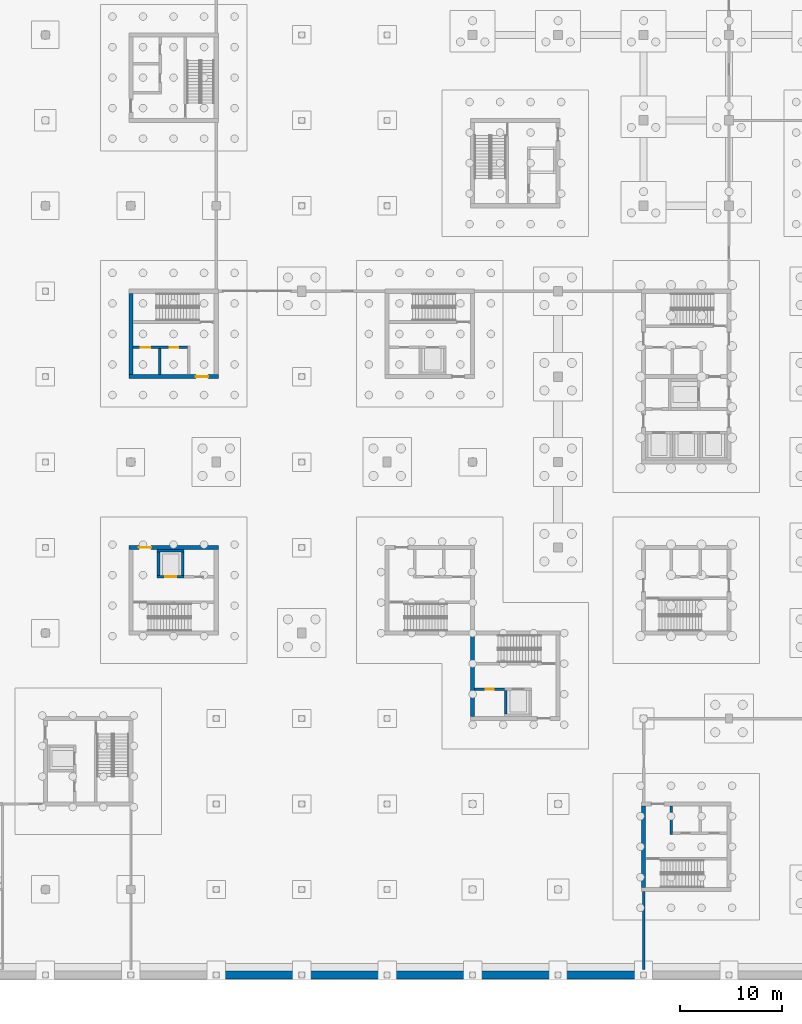
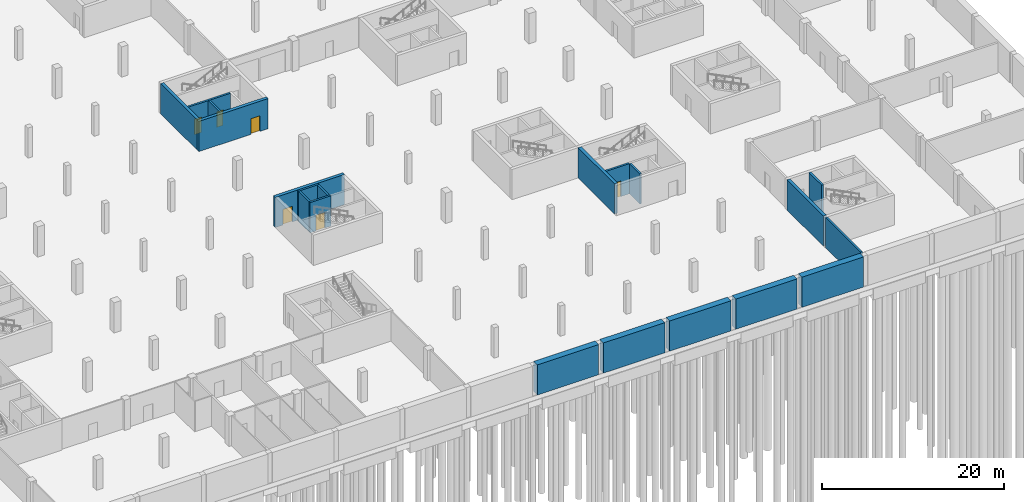
# One storey, part 11 of 23: 20 walls, 6 doors, 6 openings.
"""IFC4 building model written with IfcOpenShell, lengths in metres."""

from ifc_helpers import new_model, si_unit, direction, frame, frame_2d, origin, place, context, subcontext, project, spatial, rectangle, extrude, material, layer, layer_set, type_object, element, fill, save


model = new_model("IFC4")

# Units and contexts
model_context = context("Model", 3, precision=1e-05, world=origin(), true_north=direction((0.0, 1.0)))
body_context = subcontext(model_context, "Body", "Model", "MODEL_VIEW")
ifc_project = project(units=[si_unit("LENGTHUNIT", "METRE"), si_unit("AREAUNIT", "SQUARE_METRE"), si_unit("VOLUMEUNIT", "CUBIC_METRE"), si_unit("PLANEANGLEUNIT", "RADIAN"), si_unit("MASSUNIT", "GRAM", prefix="KILO")], contexts=[model_context])

# Site, building, storey
site_placement = place(None, origin())
site = spatial("IfcSite", under=ifc_project, at=site_placement, CompositionType="ELEMENT")
building_placement = place(site_placement, origin())
building = spatial("IfcBuilding", under=site, at=building_placement, Name="Hlaing Beacon Police Headquarters", CompositionType="ELEMENT")
storey_placement = place(building_placement, frame((0.0, 0.0, -4.5)))
storey = spatial("IfcBuildingStorey", under=building, at=storey_placement, Name="B1", CompositionType="ELEMENT", Elevation=-4.5)

# Wall, opening, door
ifc_material_1 = material(Name="Concrete C60/75", Category="concrete")
ifc_layer_1 = layer(ifc_material_1, 0.39990234375)
ifc_layer_set_1 = layer_set([ifc_layer_1], Name="Concrete C60/75")
wall_type_1 = type_object("IfcWallType", Name="Core shear wall 400", PredefinedType="SHEAR", material=ifc_layer_set_1)
wall_1_placement = place(storey_placement, frame((58.60009765625, 42.0, 0.0), z_axis=(0.0, 0.0, 1.0), x_axis=(1.0, 0.0, 0.0)))
wall_1 = element("IfcWall", 1, at=wall_1_placement, inside=storey, type_object=wall_type_1, Name="Core shear wall", PredefinedType="SHEAR", context=body_context, shape_type="SweptSolid", body=[
    extrude(rectangle(XDim=8.7998046875, YDim=0.39990234375, at=frame_2d((4.39990234375, 0.0))), origin(), (0.0, 0.0, 1.0), 4.050048828125),
])
opening_1_placement = place(wall_1_placement, frame((1.0, 0.0, 0.0)))
opening_1 = element("IfcOpeningElement", 2, at=opening_1_placement, cuts=wall_1, Name="Opening B1-901", PredefinedType="OPENING", context=body_context, shape_type="SweptSolid", body=[
    extrude(rectangle(XDim=1.199951171875, YDim=2.10009765625, at=frame_2d((0.60009765625, 1.050048828125))), frame((0.0, 0.2099609375, 0.0), z_axis=(0.0, -1.0, 0.0), x_axis=(1.0, 0.0, 0.0)), (0.0, 0.0, 1.0), 0.419921875),
])
ifc_material_2 = material(Name="Steel fire door leaf", Category="steel")
ifc_layer_2 = layer(ifc_material_2, 0.070068359375)
ifc_layer_set_2 = layer_set([ifc_layer_2], Name="Steel fire door leaf")
door_type_1 = type_object("IfcDoorType", Name="Steel fire door FD60S 1200x2100", OperationType="SINGLE_SWING_LEFT", PredefinedType="DOOR", material=ifc_layer_set_2)
door_1_placement = place(opening_1_placement, frame((1.199951171875, 0.0, 0.0), z_axis=(0.0, 0.0, 1.0), x_axis=(-1.0, 0.0, 0.0)))
door_1 = element("IfcDoor", 3, at=door_1_placement, inside=storey, type_object=door_type_1, Name="Door Lift and Stair Lobby ST-A Entry", OperationType="SINGLE_SWING_RIGHT", OverallHeight=2.10009765625, OverallWidth=1.199951171875, PredefinedType="DOOR", context=body_context, shape_type="SweptSolid", body=[
    extrude(rectangle(XDim=1.199951171875, YDim=2.10009765625, at=frame_2d((0.599853515625, 1.050048828125))), frame((0.0, 0.034912109375, 0.0), z_axis=(0.0, -1.0, 0.0), x_axis=(1.0, 0.0, 0.0)), (0.0, 0.0, 1.0), 0.070068359375),
])
fill(opening_1, door_1)

wall_2_placement = place(storey_placement, frame((58.60009765625, 58.800048828125, 0.0), z_axis=(0.0, 0.0, 1.0), x_axis=(1.0, 0.0, 0.0)))
wall_2 = element("IfcWall", 4, at=wall_2_placement, inside=storey, type_object=wall_type_1, Name="Core shear wall", PredefinedType="SHEAR", context=body_context, shape_type="SweptSolid", body=[
    extrude(rectangle(XDim=8.7998046875, YDim=0.39990234375, at=frame_2d((4.39990234375, 0.0))), origin(), (0.0, 0.0, 1.0), 4.050048828125),
])
opening_2_placement = place(wall_2_placement, frame((6.60009765625, 0.0, 0.0)))
opening_2 = element("IfcOpeningElement", 5, at=opening_2_placement, cuts=wall_2, Name="Opening B1-905", PredefinedType="OPENING", context=body_context, shape_type="SweptSolid", body=[
    extrude(rectangle(XDim=1.199951171875, YDim=2.10009765625, at=frame_2d((0.60009765625, 1.050048828125))), frame((0.0, 0.2099609375, 0.0), z_axis=(0.0, -1.0, 0.0), x_axis=(1.0, 0.0, 0.0)), (0.0, 0.0, 1.0), 0.419921875),
])
door_2_placement = place(opening_2_placement, origin())
door_2 = element("IfcDoor", 6, at=door_2_placement, inside=storey, type_object=door_type_1, Name="Door Stair Lobby ST-B Entry", OperationType="SINGLE_SWING_RIGHT", OverallHeight=2.10009765625, OverallWidth=1.199951171875, PredefinedType="DOOR", context=body_context, shape_type="SweptSolid", body=[
    extrude(rectangle(XDim=1.199951171875, YDim=2.10009765625, at=frame_2d((0.60009765625, 1.050048828125))), frame((0.0, 0.03515625, 0.0), z_axis=(0.0, -1.0, 0.0), x_axis=(1.0, 0.0, 0.0)), (0.0, 0.0, 1.0), 0.070068359375),
])
fill(opening_2, door_2)

# Walls
for number, where, z_axis, x_axis, name in (
    (7, (58.800048828125, 59.0, 0.0), (0.0, 0.0, 1.0), (0.0, 1.0, 0.0), "Core shear wall"),
    (8, (92.39990234375, 25.39990234375, 0.0), (0.0, 0.0, 1.0), (0.0, 1.0, 0.0), "Core shear wall"),
    (9, (109.199951171875, 8.60009765625, 0.0), (0.0, 0.0, 1.0), (0.0, 1.0, 0.0), "Core shear wall"),
):
    element("IfcWall", number, at=place(storey_placement, frame(where, z_axis=z_axis, x_axis=x_axis)), inside=storey, type_object=wall_type_1, Name=name, PredefinedType="SHEAR", context=body_context, shape_type="SweptSolid", body=[
        extrude(rectangle(XDim=8.0, YDim=0.39990234375, at=frame_2d((4.0, 0.0))), origin(), (0.0, 0.0, 1.0), 4.050048828125),
    ])
ifc_material_3 = material(Name="Concrete blockwork 7.5 N/mm2", Category="masonry")
ifc_layer_3 = layer(ifc_material_3, 0.25)
ifc_layer_set_3 = layer_set([ifc_layer_3], Name="Concrete blockwork 7.5 N/mm2")
wall_type_2 = type_object("IfcWallType", Name="Plant room wall EI 120 250", PredefinedType="PARTITIONING", material=ifc_layer_set_3)
wall_3_placement = place(storey_placement, frame((109.199951171875, 0.550048828125, 0.0), z_axis=(0.0, 0.0, 1.0), x_axis=(0.0, 1.0, 0.0)))
element("IfcWall", 10, at=wall_3_placement, inside=storey, type_object=wall_type_2, Name="Plant room wall EI 120 250", PredefinedType="PARTITIONING", context=body_context, shape_type="SweptSolid", body=[
    extrude(rectangle(XDim=7.64990234375, YDim=0.25, at=frame_2d((3.824951171875, 0.0))), origin(), (0.0, 0.0, 1.0), 4.050048828125),
])
ifc_material_4 = material(Name="Concrete C50/60", Category="concrete")
ifc_layer_4 = layer(ifc_material_4, 0.800048828125)
ifc_layer_set_4 = layer_set([ifc_layer_4], Name="Concrete C50/60")
wall_type_3 = type_object("IfcWallType", Name="Retaining wall 800", PredefinedType="SOLIDWALL", material=ifc_layer_set_4)
for number, where, z_axis, x_axis, name in (
    (11, (67.5, 0.0, 0.0), (0.0, 0.0, 1.0), (1.0, 0.0, 0.0), "STR-RW-B1-S09"),
    (12, (75.89990234375, 0.0, 0.0), (0.0, 0.0, 1.0), (1.0, 0.0, 0.0), "STR-RW-B1-S10"),
    (13, (84.300048828125, 0.0, 0.0), (0.0, 0.0, 1.0), (1.0, 0.0, 0.0), "STR-RW-B1-S11"),
    (14, (92.699951171875, 0.0, 0.0), (0.0, 0.0, 1.0), (1.0, 0.0, 0.0), "STR-RW-B1-S12"),
):
    element("IfcWall", number, at=place(storey_placement, frame(where, z_axis=z_axis, x_axis=x_axis)), inside=storey, type_object=wall_type_3, Name=name, PredefinedType="SOLIDWALL", context=body_context, shape_type="SweptSolid", body=[
        extrude(rectangle(XDim=7.800048828125, YDim=0.800048828125, at=frame_2d((3.89990234375, 0.0))), origin(), (0.0, 0.0, 1.0), 4.050048828125),
    ])
wall_4_placement = place(storey_placement, frame((101.10009765625, 0.0, 0.0), z_axis=(0.0, 0.0, 1.0), x_axis=(1.0, 0.0, 0.0)))
element("IfcWall", 15, at=wall_4_placement, inside=storey, type_object=wall_type_3, Name="STR-RW-B1-S13", PredefinedType="SOLIDWALL", context=body_context, shape_type="SweptSolid", body=[
    extrude(rectangle(XDim=7.7998046875, YDim=0.800048828125, at=frame_2d((3.89990234375, 0.0))), origin(), (0.0, 0.0, 1.0), 4.050048828125),
])

# Wall, openings, doors
ifc_material_5 = material(Name="Concrete C40/50", Category="concrete")
ifc_layer_5 = layer(ifc_material_5, 0.25)
ifc_layer_set_5 = layer_set([ifc_layer_5], Name="Concrete C40/50")
wall_type_4 = type_object("IfcWallType", Name="Shaft wall 250", PredefinedType="SOLIDWALL", material=ifc_layer_set_5)
wall_5_placement = place(storey_placement, frame((64.35009765625, 61.675048828125, 0.0), z_axis=(0.0, 0.0, 1.0), x_axis=(-1.0, 0.0, 0.0)))
wall_5 = element("IfcWall", 16, at=wall_5_placement, inside=storey, type_object=wall_type_4, Name="Lobby wall", PredefinedType="SOLIDWALL", context=body_context, shape_type="SweptSolid", body=[
    extrude(rectangle(XDim=5.35009765625, YDim=0.25, at=frame_2d((2.675048828125, 0.0))), origin(), (0.0, 0.0, 1.0), 4.050048828125),
])
opening_3_placement = place(wall_5_placement, frame((3.64990234375, 0.0, 0.0)))
opening_3 = element("IfcOpeningElement", 17, at=opening_3_placement, cuts=wall_5, Name="Opening B1-904", PredefinedType="OPENING", context=body_context, shape_type="SweptSolid", body=[
    extrude(rectangle(XDim=0.89990234375, YDim=2.10009765625, at=frame_2d((0.449951171875, 1.050048828125))), frame((0.0, 0.135009765625, 0.0), z_axis=(0.0, -1.0, 0.0), x_axis=(1.0, 0.0, 0.0)), (0.0, 0.0, 1.0), 0.27001953125),
])
opening_4_placement = place(wall_5_placement, frame((0.89990234375, 0.0, 0.0)))
opening_4 = element("IfcOpeningElement", 18, at=opening_4_placement, cuts=wall_5, Name="Opening B1-906", PredefinedType="OPENING", context=body_context, shape_type="SweptSolid", body=[
    extrude(rectangle(XDim=0.800048828125, YDim=2.10009765625, at=frame_2d((0.39990234375, 1.050048828125))), frame((0.0, 0.135009765625, 0.0), z_axis=(0.0, -1.0, 0.0), x_axis=(1.0, 0.0, 0.0)), (0.0, 0.0, 1.0), 0.27001953125),
])
ifc_material_6 = material(Name="Steel fire door leaf", Category="steel")
ifc_layer_6 = layer(ifc_material_6, 0.070068359375)
ifc_layer_set_6 = layer_set([ifc_layer_6], Name="Steel fire door leaf")
door_type_2 = type_object("IfcDoorType", Name="Steel fire door FD60 800x2100", OperationType="SINGLE_SWING_LEFT", PredefinedType="DOOR", material=ifc_layer_set_6)
door_3_placement = place(opening_4_placement, origin())
door_3 = element("IfcDoor", 19, at=door_3_placement, inside=storey, type_object=door_type_2, Name="Door Services Riser", OperationType="SINGLE_SWING_RIGHT", OverallHeight=2.10009765625, OverallWidth=0.800048828125, PredefinedType="DOOR", context=body_context, shape_type="SweptSolid", body=[
    extrude(rectangle(XDim=0.800048828125, YDim=2.10009765625, at=frame_2d((0.39990234375, 1.050048828125))), frame((0.0, 0.03515625, 0.0), z_axis=(0.0, -1.0, 0.0), x_axis=(1.0, 0.0, 0.0)), (0.0, 0.0, 1.0), 0.070068359375),
])
fill(opening_4, door_3)
ifc_material_7 = material(Name="Steel fire door leaf", Category="steel")
ifc_layer_7 = layer(ifc_material_7, 0.070068359375)
ifc_layer_set_7 = layer_set([ifc_layer_7], Name="Steel fire door leaf")
door_type_3 = type_object("IfcDoorType", Name="Steel fire door FD60 900x2100", OperationType="SINGLE_SWING_LEFT", PredefinedType="DOOR", material=ifc_layer_set_7)
door_4_placement = place(opening_3_placement, origin())
door_4 = element("IfcDoor", 20, at=door_4_placement, inside=storey, type_object=door_type_3, Name="Door Cleaners' Store", OperationType="SINGLE_SWING_LEFT", OverallHeight=2.10009765625, OverallWidth=0.89990234375, PredefinedType="DOOR", context=body_context, shape_type="SweptSolid", body=[
    extrude(rectangle(XDim=0.89990234375, YDim=2.10009765625, at=frame_2d((0.449951171875, 1.050048828125))), frame((0.0, 0.03515625, 0.0), z_axis=(0.0, -1.0, 0.0), x_axis=(1.0, 0.0, 0.0)), (0.0, 0.0, 1.0), 0.070068359375),
])
fill(opening_3, door_4)

# Wall
wall_6_placement = place(storey_placement, frame((61.625, 61.550048828125, 0.0), z_axis=(0.0, 0.0, 1.0), x_axis=(0.0, -1.0, 0.0)))
element("IfcWall", 21, at=wall_6_placement, inside=storey, type_object=wall_type_4, Name="Riser wall", PredefinedType="SOLIDWALL", context=body_context, shape_type="SweptSolid", body=[
    extrude(rectangle(XDim=2.550048828125, YDim=0.25, at=frame_2d((1.27490234375, 0.0))), origin(), (0.0, 0.0, 1.0), 4.050048828125),
])

# Wall, opening, door
wall_7_placement = place(storey_placement, frame((95.550048828125, 28.074951171875, 0.0), z_axis=(0.0, 0.0, 1.0), x_axis=(-1.0, 0.0, 0.0)))
wall_7 = element("IfcWall", 22, at=wall_7_placement, inside=storey, type_object=wall_type_4, Name="Lobby wall", PredefinedType="SOLIDWALL", context=body_context, shape_type="SweptSolid", body=[
    extrude(rectangle(XDim=2.949951171875, YDim=0.25, at=frame_2d((1.47509765625, 0.0))), origin(), (0.0, 0.0, 1.0), 4.050048828125),
])
opening_5_placement = place(wall_7_placement, frame((1.074951171875, 0.0, 0.0)))
opening_5 = element("IfcOpeningElement", 23, at=opening_5_placement, cuts=wall_7, Name="Opening B1-923", PredefinedType="OPENING", context=body_context, shape_type="SweptSolid", body=[
    extrude(rectangle(XDim=0.800048828125, YDim=2.10009765625, at=frame_2d((0.39990234375, 1.050048828125))), frame((0.0, 0.135009765625, 0.0), z_axis=(0.0, -1.0, 0.0), x_axis=(1.0, 0.0, 0.0)), (0.0, 0.0, 1.0), 0.27001953125),
])
door_5_placement = place(opening_5_placement, origin())
door_5 = element("IfcDoor", 24, at=door_5_placement, inside=storey, type_object=door_type_2, Name="Door Services Riser", OperationType="SINGLE_SWING_RIGHT", OverallHeight=2.10009765625, OverallWidth=0.800048828125, PredefinedType="DOOR", context=body_context, shape_type="SweptSolid", body=[
    extrude(rectangle(XDim=0.800048828125, YDim=2.10009765625, at=frame_2d((0.39990234375, 1.050048828125))), frame((0.0, 0.03515625, 0.0), z_axis=(0.0, -1.0, 0.0), x_axis=(1.0, 0.0, 0.0)), (0.0, 0.0, 1.0), 0.070068359375),
])
fill(opening_5, door_5)

# Walls
wall_8_placement = place(storey_placement, frame((111.925048828125, 13.800048828125, 0.0), z_axis=(0.0, 0.0, 1.0), x_axis=(0.0, 1.0, 0.0)))
element("IfcWall", 25, at=wall_8_placement, inside=storey, type_object=wall_type_4, Name="Lobby wall", PredefinedType="SOLIDWALL", context=body_context, shape_type="SweptSolid", body=[
    extrude(rectangle(XDim=2.800048828125, YDim=0.25, at=frame_2d((1.39990234375, 0.0))), origin(), (0.0, 0.0, 1.0), 4.050048828125),
])
wall_9_placement = place(storey_placement, frame((63.925048828125, 39.25, 0.0), z_axis=(0.0, 0.0, 1.0), x_axis=(0.0, 1.0, 0.0)))
element("IfcWall", 26, at=wall_9_placement, inside=storey, type_object=wall_type_4, Name="Lift shaft wall PL1", PredefinedType="SOLIDWALL", context=body_context, shape_type="SweptSolid", body=[
    extrude(rectangle(XDim=2.300048828125, YDim=0.25, at=frame_2d((1.14990234375, 0.0))), origin(), (0.0, 0.0, 1.0), 4.050048828125),
])
wall_10_placement = place(storey_placement, frame((61.39990234375, 41.675048828125, 0.0), z_axis=(0.0, 0.0, 1.0), x_axis=(1.0, 0.0, 0.0)))
element("IfcWall", 27, at=wall_10_placement, inside=storey, type_object=wall_type_4, Name="Lift shaft wall PL1", PredefinedType="SOLIDWALL", context=body_context, shape_type="SweptSolid", body=[
    extrude(rectangle(XDim=2.650146484375, YDim=0.25, at=frame_2d((1.3251953125, 0.0))), origin(), (0.0, 0.0, 1.0), 4.050048828125),
])

# Wall, opening, door
wall_11_placement = place(storey_placement, frame((61.39990234375, 39.125, 0.0), z_axis=(0.0, 0.0, 1.0), x_axis=(1.0, 0.0, 0.0)))
wall_11 = element("IfcWall", 28, at=wall_11_placement, inside=storey, type_object=wall_type_4, Name="Lift shaft wall PL1", PredefinedType="SOLIDWALL", context=body_context, shape_type="SweptSolid", body=[
    extrude(rectangle(XDim=2.650146484375, YDim=0.25, at=frame_2d((1.3251953125, 0.0))), origin(), (0.0, 0.0, 1.0), 4.050048828125),
])
opening_6_placement = place(wall_11_placement, frame((0.77490234375, 0.0, 0.0)))
opening_6 = element("IfcOpeningElement", 29, at=opening_6_placement, cuts=wall_11, Name="Opening LD-PL1-B1", PredefinedType="OPENING", context=body_context, shape_type="SweptSolid", body=[
    extrude(rectangle(XDim=1.10009765625, YDim=2.10009765625, at=frame_2d((0.550048828125, 1.050048828125))), frame((0.0, 0.135009765625, 0.0), z_axis=(0.0, -1.0, 0.0), x_axis=(1.0, 0.0, 0.0)), (0.0, 0.0, 1.0), 0.27001953125),
])
ifc_material_8 = material(Name="Stainless steel lift landing door", Category="steel")
ifc_layer_8 = layer(ifc_material_8, 0.06005859375)
ifc_layer_set_8 = layer_set([ifc_layer_8], Name="Stainless steel lift landing door")
door_type_4 = type_object("IfcDoorType", Name="Lift landing door 1100x2100", OperationType="DOUBLE_DOOR_SLIDING", PredefinedType="DOOR", material=ifc_layer_set_8)
door_6_placement = place(opening_6_placement, origin())
door_6 = element("IfcDoor", 30, at=door_6_placement, inside=storey, type_object=door_type_4, Name="Landing door PL1 B1", OperationType="DOUBLE_DOOR_SLIDING", OverallHeight=2.10009765625, OverallWidth=1.10009765625, PredefinedType="DOOR", context=body_context, shape_type="SweptSolid", body=[
    extrude(rectangle(XDim=1.10009765625, YDim=2.10009765625, at=frame_2d((0.550048828125, 1.050048828125))), frame((0.0, 0.0400390625, 0.0), z_axis=(0.0, -1.0, 0.0), x_axis=(1.0, 0.0, 0.0)), (0.0, 0.0, 1.0), 0.080078125),
])
fill(opening_6, door_6)

# Walls
for number, where, z_axis, x_axis, name in (
    (31, (61.52490234375, 39.25, 0.0), (0.0, 0.0, 1.0), (0.0, 1.0, 0.0), "Lift shaft wall PL1"),
    (32, (95.675048828125, 25.64990234375, 0.0), (0.0, 0.0, 1.0), (0.0, 1.0, 0.0), "Lift shaft wall PL4"),
):
    element("IfcWall", number, at=place(storey_placement, frame(where, z_axis=z_axis, x_axis=x_axis)), inside=storey, type_object=wall_type_4, Name=name, PredefinedType="SOLIDWALL", context=body_context, shape_type="SweptSolid", body=[
        extrude(rectangle(XDim=2.300048828125, YDim=0.25, at=frame_2d((1.14990234375, 0.0))), origin(), (0.0, 0.0, 1.0), 4.050048828125),
    ])

save(model, "model.ifc")
